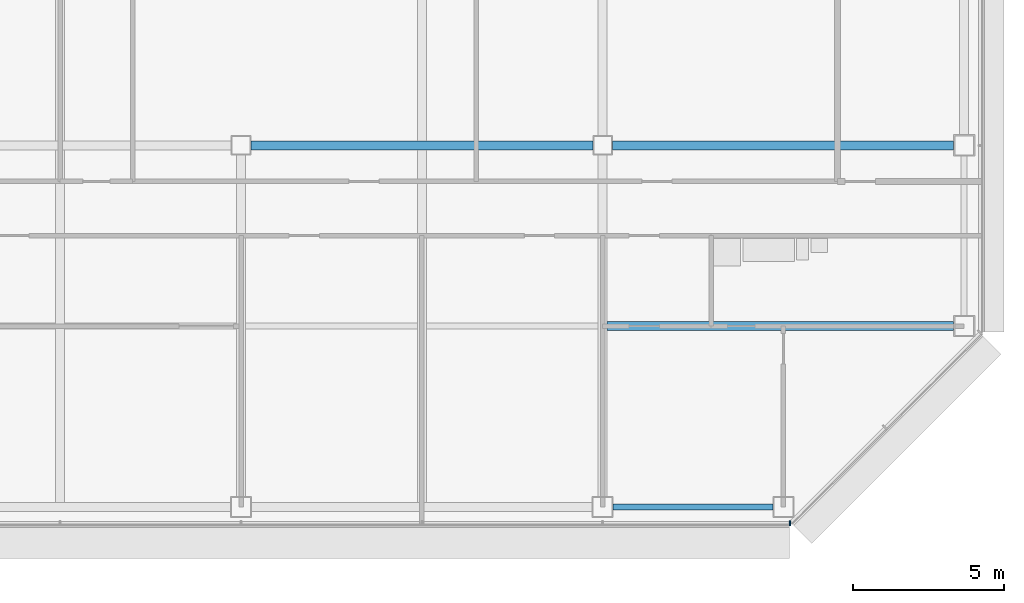
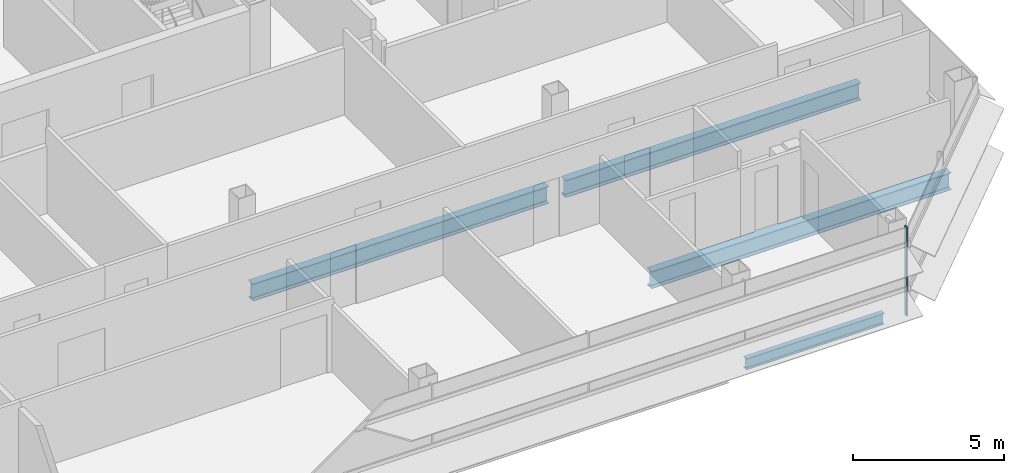
# One storey, part 9 of 26: 4 beams, 1 member, 1 element without a shape of its own.
"""IFC4 building model written with IfcOpenShell, lengths in metres."""

from ifc_helpers import new_model, si_unit, direction, frame, origin, origin_2d, place, context, subcontext, project, spatial, rectangle, i_section, extrude, material, material_profile, profile_set, type_object, element, aggregate, save


model = new_model("IFC4")

# Units and contexts
model_context = context("Model", 3, precision=1e-05, world=origin(), true_north=direction((0.0, 1.0)))
body_context = subcontext(model_context, "Body", "Model", "MODEL_VIEW")
ifc_project = project(units=[si_unit("LENGTHUNIT", "METRE"), si_unit("AREAUNIT", "SQUARE_METRE"), si_unit("VOLUMEUNIT", "CUBIC_METRE"), si_unit("PLANEANGLEUNIT", "RADIAN"), si_unit("MASSUNIT", "GRAM", prefix="KILO")], contexts=[model_context])

# Site, building, storey
site_placement = place(None, origin())
site = spatial("IfcSite", under=ifc_project, at=site_placement, CompositionType="ELEMENT")
building_placement = place(site_placement, origin())
building = spatial("IfcBuilding", under=site, at=building_placement, Name="Sorahane Residences", CompositionType="ELEMENT")
storey_placement = place(building_placement, frame((0.0, 0.0, 151.0)))
storey = spatial("IfcBuildingStorey", under=building, at=storey_placement, Name="L34", CompositionType="ELEMENT", Elevation=151.0)

# Curtain wall, member
ifc_material_1 = material(Name="Dark low-e glass and black anodised aluminium", Category="aluminium")
curtain_wall_type = type_object("IfcCurtainWallType", Name="Curtain wall CW-1 Typical unitised wall", PredefinedType="NOTDEFINED", material=ifc_material_1)
curtain_wall_placement = place(storey_placement, origin())
curtain_wall = element("IfcCurtainWall", 1, at=curtain_wall_placement, inside=storey, type_object=curtain_wall_type, Name="CW-1 curtain wall L34 S1", PredefinedType="NOTDEFINED")
ifc_material_2 = material(Name="Black anodised aluminium", Category="aluminium")
ifc_material_profile_1 = material_profile(ifc_material_2, rectangle(XDim=0.159912109375, YDim=0.050048828125, at=origin_2d()), Name="Curtain wall mullion CW-1 black anodised aluminium 50x160")
ifc_profile_set_1 = profile_set([ifc_material_profile_1], Name="Black anodised aluminium")
member_type = type_object("IfcMemberType", Name="Curtain wall mullion CW-1 black anodised aluminium 50x160", PredefinedType="MULLION", material=ifc_profile_set_1)
member_placement = place(storey_placement, frame((54.2236328125, -0.5400390625, -0.179931640625), z_axis=(0.0, 0.0, 1.0), x_axis=(0.0, -1.0, 0.0)))
member = element("IfcMember", 2, at=member_placement, type_object=member_type, Name="CW-1 mullion L34 S1.10", PredefinedType="MULLION", context=body_context, shape_type="SweptSolid", body=[
    extrude(rectangle(XDim=0.159912109375, YDim=0.050048828125, at=origin_2d()), origin(), (0.0, 0.0, 1.0), 3.599853515625),
])
aggregate(curtain_wall, [member])

# Beams
ifc_material_3 = material(Name="Steel Q355B", Category="steel")
ifc_material_profile_2 = material_profile(ifc_material_3, i_section(OverallWidth=0.199951171875, OverallDepth=0.449951171875, WebThickness=0.009033203125, FlangeThickness=0.013916015625, FilletRadius=0.02001953125, at=origin_2d()), Name="HN 450x200x9x14")
ifc_profile_set_2 = profile_set([ifc_material_profile_2], Name="Steel Q355B")
beam_type_1 = type_object("IfcBeamType", Name="Steel floor beam HN 450x200x9x14 Q355B", PredefinedType="BEAM", material=ifc_profile_set_2)
beam_1_placement = place(storey_placement, frame((48.35009765625, 0.0, -0.405029296875), z_axis=(1.0, 0.0, 0.0), x_axis=(0.0, 1.0, 0.0)))
element("IfcBeam", 3, at=beam_1_placement, inside=storey, type_object=beam_type_1, Name="Beam L34 004", PredefinedType="BEAM", context=body_context, shape_type="SweptSolid", body=[
    extrude(i_section(OverallWidth=0.199951171875, OverallDepth=0.449951171875, WebThickness=0.009033203125, FlangeThickness=0.013916015625, FilletRadius=0.02001953125, at=origin_2d()), origin(), (0.0, 0.0, 1.0), 5.2998046875),
])
ifc_material_4 = material(Name="Steel Q355B", Category="steel")
ifc_material_profile_3 = material_profile(ifc_material_4, i_section(OverallWidth=0.300048828125, OverallDepth=0.699951171875, WebThickness=0.012939453125, FlangeThickness=0.02392578125, FilletRadius=0.028076171875, at=origin_2d()), Name="HN 700x300x13x24")
ifc_profile_set_3 = profile_set([ifc_material_profile_3], Name="Steel Q355B")
beam_type_2 = type_object("IfcBeamType", Name="Steel floor beam HN 700x300x13x24 Q355B", PredefinedType="BEAM", material=ifc_profile_set_3)
beam_2_placement = place(storey_placement, frame((36.324951171875, 12.0, -0.530029296875), z_axis=(1.0, 0.0, 0.0), x_axis=(0.0, 1.0, 0.0)))
element("IfcBeam", 4, at=beam_2_placement, inside=storey, type_object=beam_type_2, Name="Beam L34 009", PredefinedType="BEAM", context=body_context, shape_type="SweptSolid", body=[
    extrude(i_section(OverallWidth=0.300048828125, OverallDepth=0.699951171875, WebThickness=0.012939453125, FlangeThickness=0.02392578125, FilletRadius=0.028076171875, at=origin_2d()), origin(), (0.0, 0.0, 1.0), 11.35009765625),
])
beam_3_placement = place(storey_placement, frame((48.324951171875, 12.0, -0.530029296875), z_axis=(1.0, 0.0, 0.0), x_axis=(0.0, 1.0, 0.0)))
element("IfcBeam", 5, at=beam_3_placement, inside=storey, type_object=beam_type_2, Name="Beam L34 010", PredefinedType="BEAM", context=body_context, shape_type="SweptSolid", body=[
    extrude(i_section(OverallWidth=0.300048828125, OverallDepth=0.699951171875, WebThickness=0.012939453125, FlangeThickness=0.02392578125, FilletRadius=0.028076171875, at=origin_2d()), origin(), (0.0, 0.0, 1.0), 11.324951171875),
])
beam_4_placement = place(storey_placement, frame((48.14990234375, 6.0, -0.530029296875), z_axis=(1.0, 0.0, 0.0), x_axis=(0.0, 1.0, 0.0)))
element("IfcBeam", 6, at=beam_4_placement, inside=storey, type_object=beam_type_2, Name="Beam L34 077", PredefinedType="BEAM", context=body_context, shape_type="SweptSolid", body=[
    extrude(i_section(OverallWidth=0.300048828125, OverallDepth=0.699951171875, WebThickness=0.012939453125, FlangeThickness=0.02392578125, FilletRadius=0.028076171875, at=origin_2d()), origin(), (0.0, 0.0, 1.0), 11.5),
])

save(model, "model.ifc")
